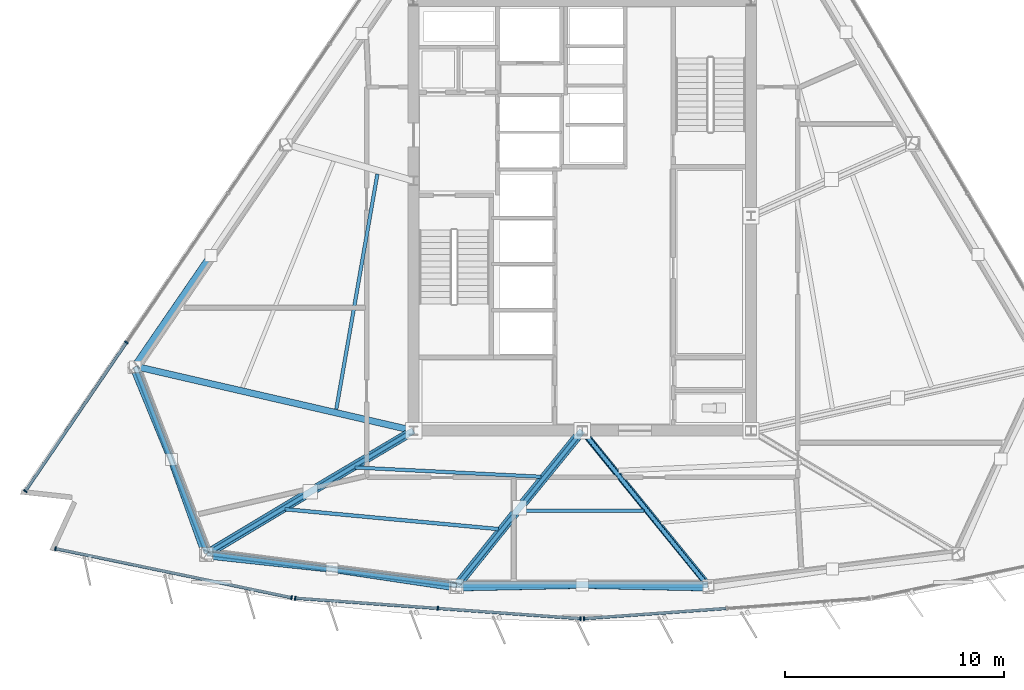
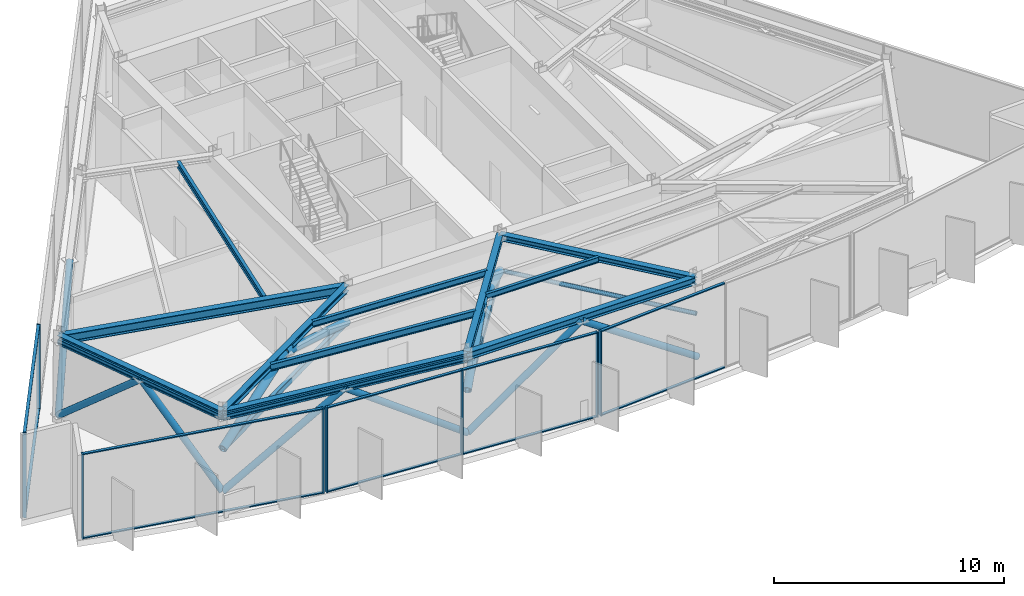
# One storey, part 2 of 14: 34 members, 11 beams, 4 elements without a shape of their own.
"""IFC4 building model written with IfcOpenShell, lengths in metres."""

from ifc_helpers import new_model, si_unit, direction, frame, origin, origin_2d, place, context, subcontext, project, spatial, rectangle, hollow_rectangle, hollow_circle, i_section, extrude, material, material_profile, profile_set, type_object, element, aggregate, save


model = new_model("IFC4")

# Units and contexts
model_context = context("Model", 3, precision=1e-05, world=origin(), true_north=direction((0.0, 1.0)))
body_context = subcontext(model_context, "Body", "Model", "MODEL_VIEW")
ifc_project = project(units=[si_unit("LENGTHUNIT", "METRE"), si_unit("AREAUNIT", "SQUARE_METRE"), si_unit("VOLUMEUNIT", "CUBIC_METRE"), si_unit("PLANEANGLEUNIT", "RADIAN"), si_unit("MASSUNIT", "GRAM", prefix="KILO")], contexts=[model_context])

# Site, building, storey
site_placement = place(None, origin())
site = spatial("IfcSite", under=ifc_project, at=site_placement, CompositionType="ELEMENT")
building_placement = place(site_placement, origin())
building = spatial("IfcBuilding", under=site, at=building_placement, Name="Savorim Split Tower", CompositionType="ELEMENT")
storey_placement = place(building_placement, frame((0.0, 0.0, 185.39990234375)))
storey = spatial("IfcBuildingStorey", under=building, at=storey_placement, Name="L49", CompositionType="ELEMENT", Elevation=185.39990234375)

# Beams
ifc_material_1 = material(Name="Steel S355", Category="steel")
ifc_material_profile_1 = material_profile(ifc_material_1, i_section(OverallWidth=0.14990234375, OverallDepth=0.300048828125, WebThickness=0.007080078125, FlangeThickness=0.0107421875, FilletRadius=0.014892578125, at=origin_2d()), Name="IPE 300")
ifc_profile_set_1 = profile_set([ifc_material_profile_1], Name="Steel S355")
beam_type_1 = type_object("IfcBeamType", Name="BM-JST-IPE300", PredefinedType="JOIST", material=ifc_profile_set_1)
beam_1_placement = place(storey_placement, frame((-2.822998046875, -13.061767578125, 4.35009765625), z_axis=(1.0, 0.0, 0.0), x_axis=(0.0, 1.0, 0.0)))
element("IfcBeam", 1, at=beam_1_placement, inside=storey, type_object=beam_type_1, Name="L49 Secondary Floor Joist JS-03", PredefinedType="JOIST", context=body_context, shape_type="SweptSolid", body=[
    extrude(i_section(OverallWidth=0.14990234375, OverallDepth=0.300048828125, WebThickness=0.007080078125, FlangeThickness=0.0107421875, FilletRadius=0.014892578125, at=origin_2d()), origin(), (0.0, 0.0, 1.0), 5.64599609375),
])
ifc_material_profile_2 = material_profile(ifc_material_1, i_section(OverallWidth=0.159912109375, OverallDepth=0.330078125, WebThickness=0.007568359375, FlangeThickness=0.011474609375, FilletRadius=0.01806640625, at=origin_2d()), Name="IPE 330")
ifc_profile_set_2 = profile_set([ifc_material_profile_2], Name="Steel S355")
beam_type_2 = type_object("IfcBeamType", Name="BM-JST-IPE330", PredefinedType="JOIST", material=ifc_profile_set_2)
beam_2_placement = place(storey_placement, frame((-10.364990234375, -11.082275390625, 4.335205078125), z_axis=(0.998764564765, -0.049692496115, 0.0), x_axis=(0.049692496115, 0.998764564765, 0.0)))
element("IfcBeam", 2, at=beam_2_placement, inside=storey, type_object=beam_type_2, Name="L49 Secondary Floor Joist JS-02", PredefinedType="JOIST", context=body_context, shape_type="SweptSolid", body=[
    extrude(i_section(OverallWidth=0.159912109375, OverallDepth=0.330078125, WebThickness=0.007568359375, FlangeThickness=0.011474609375, FilletRadius=0.01806640625, at=origin_2d()), origin(), (0.0, 0.0, 1.0), 8.49462890625),
])
beam_3_placement = place(storey_placement, frame((-9.34912109375, 2.30859375, 4.335205078125), z_axis=(-0.17215361557, -0.985070115599, 0.0), x_axis=(0.985070115599, -0.17215361557, 0.0)))
element("IfcBeam", 3, at=beam_3_placement, inside=storey, type_object=beam_type_2, Name="L49 Secondary Floor Joist JS-11", PredefinedType="JOIST", context=body_context, shape_type="SweptSolid", body=[
    extrude(i_section(OverallWidth=0.159912109375, OverallDepth=0.330078125, WebThickness=0.007568359375, FlangeThickness=0.011474609375, FilletRadius=0.01806640625, at=origin_2d()), origin(), (0.0, 0.0, 1.0), 10.892822265625),
])
ifc_material_profile_3 = material_profile(ifc_material_1, i_section(OverallWidth=0.169921875, OverallDepth=0.360107421875, WebThickness=0.008056640625, FlangeThickness=0.0126953125, FilletRadius=0.01806640625, at=origin_2d()), Name="IPE 360")
ifc_profile_set_3 = profile_set([ifc_material_profile_3], Name="Steel S355")
beam_type_3 = type_object("IfcBeamType", Name="BM-JST-IPE360", PredefinedType="JOIST", material=ifc_profile_set_3)
beam_4_placement = place(storey_placement, frame((-13.567138671875, -12.986328125, 4.320068359375), z_axis=(0.995702982946, -0.09260437221, 0.0), x_axis=(0.09260437221, 0.995702982946, 0.0)))
element("IfcBeam", 4, at=beam_4_placement, inside=storey, type_object=beam_type_3, Name="L49 Secondary Floor Joist JS-01", PredefinedType="JOIST", context=body_context, shape_type="SweptSolid", body=[
    extrude(i_section(OverallWidth=0.169921875, OverallDepth=0.360107421875, WebThickness=0.008056640625, FlangeThickness=0.0126953125, FilletRadius=0.01806640625, at=origin_2d()), origin(), (0.0, 0.0, 1.0), 9.7783203125),
])
ifc_material_profile_4 = material_profile(ifc_material_1, i_section(OverallWidth=0.300048828125, OverallDepth=0.320068359375, WebThickness=0.011474609375, FlangeThickness=0.0205078125, FilletRadius=0.027099609375, at=origin_2d()), Name="HEB 320")
ifc_profile_set_4 = profile_set([ifc_material_profile_4], Name="Steel S355")
beam_type_4 = type_object("IfcBeamType", Name="BM-PRI-HEB320", PredefinedType="BEAM", material=ifc_profile_set_4)
beam_5_placement = place(storey_placement, frame((-17.1162109375, -14.980712890625, 4.340087890625), z_axis=(0.860259286737, 0.509856803016, 0.0), x_axis=(-0.509856803016, 0.860259286737, 0.0)))
element("IfcBeam", 5, at=beam_5_placement, inside=storey, type_object=beam_type_4, Name="L49 Primary Floor Girder RG-01", PredefinedType="BEAM", context=body_context, shape_type="SweptSolid", body=[
    extrude(i_section(OverallWidth=0.300048828125, OverallDepth=0.320068359375, WebThickness=0.011474609375, FlangeThickness=0.0205078125, FilletRadius=0.027099609375, at=origin_2d()), origin(), (0.0, 0.0, 1.0), 10.94580078125),
])
for number, where, z_axis, x_axis, name in (
    (6, (-5.736572265625, -16.441650390625, 4.340087890625), (0.631596962003, 0.775296896414, 0.0), (-0.775296896414, 0.631596962003, 0.0), "L49 Primary Floor Girder RG-02"),
    (7, (5.736572265625, -16.441650390625, 4.340087890625), (-0.631596962003, 0.775296896414, 0.0), (-0.775296896414, -0.631596962003, 0.0), "L49 Primary Floor Girder RG-03"),
):
    element("IfcBeam", number, at=place(storey_placement, frame(where, z_axis=z_axis, x_axis=x_axis)), inside=storey, type_object=beam_type_4, Name=name, PredefinedType="BEAM", context=body_context, shape_type="SweptSolid", body=[
        extrude(i_section(OverallWidth=0.300048828125, OverallDepth=0.320068359375, WebThickness=0.011474609375, FlangeThickness=0.0205078125, FilletRadius=0.027099609375, at=origin_2d()), origin(), (0.0, 0.0, 1.0), 9.082763671875),
    ])
ifc_material_profile_5 = material_profile(ifc_material_1, i_section(OverallWidth=0.300048828125, OverallDepth=0.5, WebThickness=0.014404296875, FlangeThickness=0.028076171875, FilletRadius=0.027099609375, at=origin_2d()), Name="HEB 500")
ifc_profile_set_5 = profile_set([ifc_material_profile_5], Name="Steel S355")
beam_type_5 = type_object("IfcBeamType", Name="BM-PRI-HEB500", PredefinedType="BEAM", material=ifc_profile_set_5)
beam_6_placement = place(storey_placement, frame((-20.385009765625, -6.468505859375, 4.25), z_axis=(0.974322568187, -0.225156685712, 0.0), x_axis=(0.225156685712, 0.974322568187, 0.0)))
element("IfcBeam", 8, at=beam_6_placement, inside=storey, type_object=beam_type_5, Name="L49 Primary Floor Girder RG-10", PredefinedType="BEAM", context=body_context, shape_type="SweptSolid", body=[
    extrude(i_section(OverallWidth=0.300048828125, OverallDepth=0.5, WebThickness=0.014404296875, FlangeThickness=0.028076171875, FilletRadius=0.027099609375, at=origin_2d()), origin(), (0.0, 0.0, 1.0), 13.019287109375),
])
ifc_material_profile_6 = material_profile(ifc_material_1, i_section(OverallWidth=0.300048828125, OverallDepth=0.389892578125, WebThickness=0.010986328125, FlangeThickness=0.01904296875, FilletRadius=0.027099609375, at=origin_2d()), Name="HEA 400")
ifc_profile_set_6 = profile_set([ifc_material_profile_6], Name="Steel S355")
beam_type_6 = type_object("IfcBeamType", Name="BM-SPN-HEA400", PredefinedType="SPANDREL", material=ifc_profile_set_6)
for number, where, z_axis, x_axis, name in (
    (9, (-17.1162109375, -14.980712890625, 4.30517578125), (0.991859558111, -0.127336628601, 0.0), (0.127336628601, 0.991859558111, 0.0), "L49 Perimeter Spandrel Beam 1"),
    (10, (-5.736572265625, -16.441650390625, 4.30517578125), (1.0, 0.0, 0.0), (0.0, 1.0, 0.0), "L49 Perimeter Spandrel Beam 2"),
):
    element("IfcBeam", number, at=place(storey_placement, frame(where, z_axis=z_axis, x_axis=x_axis)), inside=storey, type_object=beam_type_6, Name=name, PredefinedType="SPANDREL", context=body_context, shape_type="SweptSolid", body=[
        extrude(i_section(OverallWidth=0.300048828125, OverallDepth=0.389892578125, WebThickness=0.010986328125, FlangeThickness=0.01904296875, FilletRadius=0.027099609375, at=origin_2d()), origin(), (0.0, 0.0, 1.0), 11.47314453125),
    ])
beam_7_placement = place(storey_placement, frame((-20.385009765625, -6.468505859375, 4.30517578125), z_axis=(0.358489214716, -0.933533868123, 0.0), x_axis=(0.933533868123, 0.358489214716, 0.0)))
element("IfcBeam", 11, at=beam_7_placement, inside=storey, type_object=beam_type_6, Name="L49 Perimeter Spandrel Beam 10", PredefinedType="SPANDREL", context=body_context, shape_type="SweptSolid", body=[
    extrude(i_section(OverallWidth=0.300048828125, OverallDepth=0.389892578125, WebThickness=0.010986328125, FlangeThickness=0.01904296875, FilletRadius=0.027099609375, at=origin_2d()), origin(), (0.0, 0.0, 1.0), 9.1181640625),
])

# Curtain wall, members
ifc_material_2 = material(Name="Dark Ceramic-Fritted Insulated Glass", Category="glass")
curtain_wall_type = type_object("IfcCurtainWallType", Name="CW-REFUGE-LVR", PredefinedType="NOTDEFINED", material=ifc_material_2)
curtain_wall_1_placement = place(storey_placement, origin())
curtain_wall_1 = element("IfcCurtainWall", 12, at=curtain_wall_1_placement, inside=storey, type_object=curtain_wall_type, Name="L49 Curtain Wall CW-L49-SF1", PredefinedType="NOTDEFINED")
ifc_material_3 = material(Name="Charcoal Anodised Aluminium", Category="aluminium")
ifc_material_profile_7 = material_profile(ifc_material_3, rectangle(XDim=0.179931640625, YDim=0.06494140625, at=origin_2d()), Name="ALU-M 180x65")
ifc_profile_set_7 = profile_set([ifc_material_profile_7], Name="Charcoal Anodised Aluminium")
member_type_1 = type_object("IfcMemberType", Name="CWM-180x65", PredefinedType="MULLION", material=ifc_profile_set_7)
member_1_placement = place(storey_placement, frame((-24.038818359375, -14.783447265625, 0.0), z_axis=(0.0, 0.0, 1.0), x_axis=(0.203207957161, 0.979135601511, 0.0)))
member_1 = element("IfcMember", 13, at=member_1_placement, type_object=member_type_1, Name="CW-06 mullion 1", PredefinedType="MULLION", context=body_context, shape_type="SweptSolid", body=[
    extrude(rectangle(XDim=0.179931640625, YDim=0.06494140625, at=origin_2d()), origin(), (0.0, 0.0, 1.0), 4.5),
])
member_2_placement = place(storey_placement, frame((-13.266845703125, -17.01904296875, 0.0), z_axis=(0.0, 0.0, 1.0), x_axis=(0.203207957161, 0.979135601511, 0.0)))
member_2 = element("IfcMember", 14, at=member_2_placement, type_object=member_type_1, Name="CW-06 mullion 2", PredefinedType="MULLION", context=body_context, shape_type="SweptSolid", body=[
    extrude(rectangle(XDim=0.179931640625, YDim=0.06494140625, at=origin_2d()), origin(), (0.0, 0.0, 1.0), 4.5),
])

curtain_wall_2_placement = place(storey_placement, origin())
curtain_wall_2 = element("IfcCurtainWall", 15, at=curtain_wall_2_placement, inside=storey, type_object=curtain_wall_type, Name="L49 Curtain Wall CW-L49-SF2", PredefinedType="NOTDEFINED")
member_3_placement = place(storey_placement, frame((-13.099853515625, -17.042236328125, 0.0), z_axis=(0.0, 0.0, 1.0), x_axis=(0.071561883187, 0.997436161804, 0.0)))
member_3 = element("IfcMember", 16, at=member_3_placement, type_object=member_type_1, Name="CW-06 mullion 1", PredefinedType="MULLION", context=body_context, shape_type="SweptSolid", body=[
    extrude(rectangle(XDim=0.179931640625, YDim=0.06494140625, at=origin_2d()), origin(), (0.0, 0.0, 1.0), 4.5),
])
member_4_placement = place(storey_placement, frame((-6.591796875, -17.509033203125, 0.0), z_axis=(0.0, 0.0, 1.0), x_axis=(0.071561883187, 0.997436161804, 0.0)))
member_4 = element("IfcMember", 17, at=member_4_placement, type_object=member_type_1, Name="CW-06 mullion 2", PredefinedType="MULLION", context=body_context, shape_type="SweptSolid", body=[
    extrude(rectangle(XDim=0.179931640625, YDim=0.06494140625, at=origin_2d()), origin(), (0.0, 0.0, 1.0), 4.5),
])
member_5_placement = place(storey_placement, frame((-0.083740234375, -17.97607421875, 0.0), z_axis=(0.0, 0.0, 1.0), x_axis=(0.071561883187, 0.997436161804, 0.0)))
member_5 = element("IfcMember", 18, at=member_5_placement, type_object=member_type_1, Name="CW-06 mullion 3", PredefinedType="MULLION", context=body_context, shape_type="SweptSolid", body=[
    extrude(rectangle(XDim=0.179931640625, YDim=0.06494140625, at=origin_2d()), origin(), (0.0, 0.0, 1.0), 4.5),
])

# Curtain wall, member
curtain_wall_3_placement = place(storey_placement, origin())
curtain_wall_3 = element("IfcCurtainWall", 19, at=curtain_wall_3_placement, inside=storey, type_object=curtain_wall_type, Name="L49 Curtain Wall CW-L49-SF3", PredefinedType="NOTDEFINED")
member_6_placement = place(storey_placement, frame((0.083740234375, -17.97607421875, 0.0), z_axis=(0.0, 0.0, 1.0), x_axis=(-0.071561883187, 0.997436161804, 0.0)))
member_6 = element("IfcMember", 20, at=member_6_placement, type_object=member_type_1, Name="CW-06 mullion 1", PredefinedType="MULLION", context=body_context, shape_type="SweptSolid", body=[
    extrude(rectangle(XDim=0.179931640625, YDim=0.06494140625, at=origin_2d()), origin(), (0.0, 0.0, 1.0), 4.5),
])

# Curtain wall, members
curtain_wall_4_placement = place(storey_placement, origin())
curtain_wall_4 = element("IfcCurtainWall", 21, at=curtain_wall_4_placement, inside=storey, type_object=curtain_wall_type, Name="L49 Curtain Wall CW-L49-WEST", PredefinedType="NOTDEFINED")
member_7_placement = place(storey_placement, frame((-20.800048828125, -5.372802734375, 0.0), z_axis=(0.0, 0.0, 1.0), x_axis=(0.826820328821, -0.562466126845, 0.0)))
member_7 = element("IfcMember", 22, at=member_7_placement, type_object=member_type_1, Name="CW-06 mullion 5", PredefinedType="MULLION", context=body_context, shape_type="SweptSolid", body=[
    extrude(rectangle(XDim=0.179931640625, YDim=0.06494140625, at=origin_2d()), origin(), (0.0, 0.0, 1.0), 4.5),
])
member_8_placement = place(storey_placement, frame((-25.41748046875, -12.160400390625, 0.0), z_axis=(0.0, 0.0, 1.0), x_axis=(0.826820328821, -0.562466126845, 0.0)))
member_8 = element("IfcMember", 23, at=member_8_placement, type_object=member_type_1, Name="CW-06 mullion 6", PredefinedType="MULLION", context=body_context, shape_type="SweptSolid", body=[
    extrude(rectangle(XDim=0.179931640625, YDim=0.06494140625, at=origin_2d()), origin(), (0.0, 0.0, 1.0), 4.5),
])

# Member
ifc_material_profile_8 = material_profile(ifc_material_3, rectangle(XDim=0.139892578125, YDim=0.054931640625, at=origin_2d()), Name="ALU-T 140x55")
ifc_profile_set_8 = profile_set([ifc_material_profile_8], Name="Charcoal Anodised Aluminium")
member_type_2 = type_object("IfcMemberType", Name="CWT-140x55", PredefinedType="USERDEFINED", material=ifc_profile_set_8)
member_9_placement = place(storey_placement, frame((-24.0068359375, -14.7900390625, 0.027587890625), z_axis=(0.979134843159, -0.203211611164, 0.0), x_axis=(0.203211611164, 0.979134843159, 0.0)))
member_9 = element("IfcMember", 24, at=member_9_placement, type_object=member_type_2, Name="CW-06 transom 1.1", ObjectType="TRANSOM", PredefinedType="USERDEFINED", context=body_context, shape_type="SweptSolid", body=[
    extrude(rectangle(XDim=0.139892578125, YDim=0.054931640625, at=origin_2d()), origin(), (0.0, 0.0, 1.0), 10.9365234375),
])

member_10_placement = place(storey_placement, frame((-24.0068359375, -14.7900390625, 4.47265625), z_axis=(0.979134843159, -0.203211611164, 0.0), x_axis=(0.203211611164, 0.979134843159, 0.0)))
member_10 = element("IfcMember", 25, at=member_10_placement, type_object=member_type_2, Name="CW-06 transom 1.2", ObjectType="TRANSOM", PredefinedType="USERDEFINED", context=body_context, shape_type="SweptSolid", body=[
    extrude(rectangle(XDim=0.139892578125, YDim=0.054931640625, at=origin_2d()), origin(), (0.0, 0.0, 1.0), 10.9365234375),
])

aggregate(curtain_wall_1, [member_1, member_2, member_9, member_10])

member_11_placement = place(storey_placement, frame((-13.0673828125, -17.04443359375, 0.027587890625), z_axis=(0.997434662045, -0.0715827839, 0.0), x_axis=(0.0715827839, 0.997434662045, 0.0)))
member_11 = element("IfcMember", 26, at=member_11_placement, type_object=member_type_2, Name="CW-06 transom 1.1", ObjectType="TRANSOM", PredefinedType="USERDEFINED", context=body_context, shape_type="SweptSolid", body=[
    extrude(rectangle(XDim=0.139892578125, YDim=0.054931640625, at=origin_2d()), origin(), (0.0, 0.0, 1.0), 6.459716796875),
])

member_12_placement = place(storey_placement, frame((-13.0673828125, -17.04443359375, 4.47265625), z_axis=(0.997434662045, -0.0715827839, 0.0), x_axis=(0.0715827839, 0.997434662045, 0.0)))
member_12 = element("IfcMember", 27, at=member_12_placement, type_object=member_type_2, Name="CW-06 transom 1.2", ObjectType="TRANSOM", PredefinedType="USERDEFINED", context=body_context, shape_type="SweptSolid", body=[
    extrude(rectangle(XDim=0.139892578125, YDim=0.054931640625, at=origin_2d()), origin(), (0.0, 0.0, 1.0), 6.459716796875),
])

member_13_placement = place(storey_placement, frame((-6.559326171875, -17.511474609375, 0.027587890625), z_axis=(0.997437359839, -0.07154518291, 0.0), x_axis=(0.07154518291, 0.997437359839, 0.0)))
member_13 = element("IfcMember", 28, at=member_13_placement, type_object=member_type_2, Name="CW-06 transom 2.1", ObjectType="TRANSOM", PredefinedType="USERDEFINED", context=body_context, shape_type="SweptSolid", body=[
    extrude(rectangle(XDim=0.139892578125, YDim=0.054931640625, at=origin_2d()), origin(), (0.0, 0.0, 1.0), 6.459716796875),
])

member_14_placement = place(storey_placement, frame((-6.559326171875, -17.511474609375, 4.47265625), z_axis=(0.997437359839, -0.07154518291, 0.0), x_axis=(0.07154518291, 0.997437359839, 0.0)))
member_14 = element("IfcMember", 29, at=member_14_placement, type_object=member_type_2, Name="CW-06 transom 2.2", ObjectType="TRANSOM", PredefinedType="USERDEFINED", context=body_context, shape_type="SweptSolid", body=[
    extrude(rectangle(XDim=0.139892578125, YDim=0.054931640625, at=origin_2d()), origin(), (0.0, 0.0, 1.0), 6.459716796875),
])

aggregate(curtain_wall_2, [member_3, member_4, member_5, member_11, member_12, member_13, member_14])

member_15_placement = place(storey_placement, frame((0.1162109375, -17.9736328125, 0.027587890625), z_axis=(0.997437359839, 0.07154518291, 0.0), x_axis=(-0.07154518291, 0.997437359839, 0.0)))
member_15 = element("IfcMember", 30, at=member_15_placement, type_object=member_type_2, Name="CW-06 transom 1.1", ObjectType="TRANSOM", PredefinedType="USERDEFINED", context=body_context, shape_type="SweptSolid", body=[
    extrude(rectangle(XDim=0.139892578125, YDim=0.054931640625, at=origin_2d()), origin(), (0.0, 0.0, 1.0), 6.459716796875),
])

member_16_placement = place(storey_placement, frame((0.1162109375, -17.9736328125, 4.47265625), z_axis=(0.997437359839, 0.07154518291, 0.0), x_axis=(-0.07154518291, 0.997437359839, 0.0)))
member_16 = element("IfcMember", 31, at=member_16_placement, type_object=member_type_2, Name="CW-06 transom 1.2", ObjectType="TRANSOM", PredefinedType="USERDEFINED", context=body_context, shape_type="SweptSolid", body=[
    extrude(rectangle(XDim=0.139892578125, YDim=0.054931640625, at=origin_2d()), origin(), (0.0, 0.0, 1.0), 6.459716796875),
])

aggregate(curtain_wall_3, [member_6, member_15, member_16])

member_17_placement = place(storey_placement, frame((-20.818359375, -5.39990234375, 0.027587890625), z_axis=(-0.562472362671, -0.826816086704, 0.0), x_axis=(0.826816086704, -0.562472362671, 0.0)))
member_17 = element("IfcMember", 32, at=member_17_placement, type_object=member_type_2, Name="CW-06 transom 5.1", ObjectType="TRANSOM", PredefinedType="USERDEFINED", context=body_context, shape_type="SweptSolid", body=[
    extrude(rectangle(XDim=0.139892578125, YDim=0.054931640625, at=origin_2d()), origin(), (0.0, 0.0, 1.0), 8.14404296875),
])

member_18_placement = place(storey_placement, frame((-20.818359375, -5.39990234375, 4.47265625), z_axis=(-0.562472362671, -0.826816086704, 0.0), x_axis=(0.826816086704, -0.562472362671, 0.0)))
member_18 = element("IfcMember", 33, at=member_18_placement, type_object=member_type_2, Name="CW-06 transom 5.2", ObjectType="TRANSOM", PredefinedType="USERDEFINED", context=body_context, shape_type="SweptSolid", body=[
    extrude(rectangle(XDim=0.139892578125, YDim=0.054931640625, at=origin_2d()), origin(), (0.0, 0.0, 1.0), 8.14404296875),
])

aggregate(curtain_wall_4, [member_7, member_8, member_17, member_18])

# Members
ifc_material_profile_9 = material_profile(ifc_material_1, hollow_circle(Radius=0.109619140625, WallThickness=0.012451171875, at=origin_2d()), Name="CHS 219.1x12.5")
ifc_profile_set_9 = profile_set([ifc_material_profile_9], Name="Steel S355")
member_type_3 = type_object("IfcMemberType", Name="MBR-BAY-CHS219", PredefinedType="BRACE", material=ifc_profile_set_9)
member_19_placement = place(storey_placement, frame((0.0, -9.39990234375, 2.52001953125), z_axis=(0.629132889465, -0.777297759802, 0.0), x_axis=(0.777297759802, 0.629132889465, 0.0)))
element("IfcMember", 34, at=member_19_placement, inside=storey, type_object=member_type_3, Name="L49 Secondary Belt Tie Strut 1", PredefinedType="BRACE", context=body_context, shape_type="SweptSolid", body=[
    extrude(hollow_circle(Radius=0.109619140625, WallThickness=0.012451171875, at=origin_2d()), origin(), (0.0, 0.0, 1.0), 9.136962890625),
])
ifc_material_4 = material(Name="Steel S460", Category="steel")
ifc_material_profile_10 = material_profile(ifc_material_4, hollow_circle(Radius=0.161865234375, WallThickness=0.01611328125, at=origin_2d()), Name="CHS 323.9x16")
ifc_profile_set_10 = profile_set([ifc_material_profile_10], Name="Steel S460")
member_type_4 = type_object("IfcMemberType", Name="MBR-BLT-CHS324", PredefinedType="BRACE", material=ifc_profile_set_10)
member_20_placement = place(storey_placement, frame((-17.18603515625, -15.093994140625, 0.280029296875), z_axis=(0.828076113599, -0.088736230562, 0.553548400299), x_axis=(0.106549493739, 0.994307399844, 0.0)))
element("IfcMember", 35, at=member_20_placement, inside=storey, type_object=member_type_4, Name="L49 Perimeter Belt Truss Brace 1A", PredefinedType="BRACE", context=body_context, shape_type="SweptSolid", body=[
    extrude(hollow_circle(Radius=0.161865234375, WallThickness=0.01611328125, at=origin_2d()), origin(), (0.0, 0.0, 1.0), 6.955322265625),
])
member_21_placement = place(storey_placement, frame((-5.760009765625, -16.56103515625, 0.280029296875), z_axis=(-0.820846604342, 0.123109307614, 0.557723005191), x_axis=(-0.148319617525, -0.988939477955, 0.0)))
element("IfcMember", 36, at=member_21_placement, inside=storey, type_object=member_type_4, Name="L49 Perimeter Belt Truss Brace 1B", PredefinedType="BRACE", context=body_context, shape_type="SweptSolid", body=[
    extrude(hollow_circle(Radius=0.161865234375, WallThickness=0.01611328125, at=origin_2d()), origin(), (0.0, 0.0, 1.0), 6.9033203125),
])
for number, where, z_axis, x_axis, name in (
    (37, (-5.760009765625, -16.56103515625, 0.280029296875), (0.831254043594, 0.017228975854, 0.555625663014), (-0.020722036186, 0.999785275555, 0.0), "L49 Perimeter Belt Truss Brace 2A"),
    (38, (5.760009765625, -16.56103515625, 0.280029296875), (-0.831254043594, 0.017228975854, 0.555625663014), (-0.020722036186, -0.999785275555, 0.0), "L49 Perimeter Belt Truss Brace 2B"),
):
    element("IfcMember", number, at=place(storey_placement, frame(where, z_axis=z_axis, x_axis=x_axis)), inside=storey, type_object=member_type_4, Name=name, PredefinedType="BRACE", context=body_context, shape_type="SweptSolid", body=[
        extrude(hollow_circle(Radius=0.161865234375, WallThickness=0.01611328125, at=origin_2d()), origin(), (0.0, 0.0, 1.0), 6.92919921875),
    ])
member_22_placement = place(storey_placement, frame((-20.47021484375, -6.54150390625, 0.280029296875), z_axis=(0.481907941682, 0.701293142754, 0.525311967949), x_axis=(-0.824168691062, 0.566344390519, 0.0)))
element("IfcMember", 39, at=member_22_placement, inside=storey, type_object=member_type_4, Name="L49 Perimeter Belt Truss Brace 9B", PredefinedType="BRACE", context=body_context, shape_type="SweptSolid", body=[
    extrude(hollow_circle(Radius=0.161865234375, WallThickness=0.01611328125, at=origin_2d()), origin(), (0.0, 0.0, 1.0), 7.3291015625),
])
member_23_placement = place(storey_placement, frame((-20.47021484375, -6.54150390625, 0.280029296875), z_axis=(0.289497132249, -0.704279975004, 0.648213797468), x_axis=(0.924909342994, 0.380187726317, 0.0)))
element("IfcMember", 40, at=member_23_placement, inside=storey, type_object=member_type_4, Name="L49 Perimeter Belt Truss Brace 10A", PredefinedType="BRACE", context=body_context, shape_type="SweptSolid", body=[
    extrude(hollow_circle(Radius=0.161865234375, WallThickness=0.01611328125, at=origin_2d()), origin(), (0.0, 0.0, 1.0), 5.939453125),
])
member_24_placement = place(storey_placement, frame((-17.18603515625, -15.093994140625, 0.280029296875), z_axis=(-0.259477769351, 0.724586306457, 0.638471590368), x_axis=(-0.94145474615, -0.337139379118, 0.0)))
element("IfcMember", 41, at=member_24_placement, inside=storey, type_object=member_type_4, Name="L49 Perimeter Belt Truss Brace 10B", PredefinedType="BRACE", context=body_context, shape_type="SweptSolid", body=[
    extrude(hollow_circle(Radius=0.161865234375, WallThickness=0.01611328125, at=origin_2d()), origin(), (0.0, 0.0, 1.0), 6.0302734375),
])
ifc_material_profile_11 = material_profile(ifc_material_1, hollow_rectangle(XDim=0.199951171875, YDim=0.300048828125, WallThickness=0.012451171875, InnerFilletRadius=0.012451171875, OuterFilletRadius=0.02490234375, at=origin_2d()), Name="RHS 300x200x12.5")
ifc_profile_set_11 = profile_set([ifc_material_profile_11], Name="Steel S355")
member_type_5 = type_object("IfcMemberType", Name="MBR-CHD-RHS300", PredefinedType="CHORD", material=ifc_profile_set_11)
member_25_placement = place(storey_placement, frame((-17.126708984375, -14.99755859375, 4.130126953125), z_axis=(0.991858814278, -0.127342422382, 0.0), x_axis=(0.127342422382, 0.991858814278, 0.0)))
element("IfcMember", 42, at=member_25_placement, inside=storey, type_object=member_type_5, Name="L49 Perimeter Belt Truss Chord 1", PredefinedType="CHORD", context=body_context, shape_type="SweptSolid", body=[
    extrude(hollow_rectangle(XDim=0.199951171875, YDim=0.300048828125, WallThickness=0.012451171875, InnerFilletRadius=0.012451171875, OuterFilletRadius=0.02490234375, at=origin_2d()), origin(), (0.0, 0.0, 1.0), 11.480224609375),
])
member_26_placement = place(storey_placement, frame((-20.397705078125, -6.479248046875, 4.130126953125), z_axis=(0.358475216638, -0.933539243447, 0.0), x_axis=(0.933539243447, 0.358475216638, 0.0)))
element("IfcMember", 43, at=member_26_placement, inside=storey, type_object=member_type_5, Name="L49 Perimeter Belt Truss Chord 10", PredefinedType="CHORD", context=body_context, shape_type="SweptSolid", body=[
    extrude(hollow_rectangle(XDim=0.199951171875, YDim=0.300048828125, WallThickness=0.012451171875, InnerFilletRadius=0.012451171875, OuterFilletRadius=0.02490234375, at=origin_2d()), origin(), (0.0, 0.0, 1.0), 9.124755859375),
])
member_27_placement = place(storey_placement, frame((-7.699951171875, -9.39990234375, 2.47998046875), z_axis=(-0.858787829528, -0.512331400419, 0.0), x_axis=(0.512331400419, -0.858787829528, 0.0)))
element("IfcMember", 44, at=member_27_placement, inside=storey, type_object=member_type_5, Name="L49 Outrigger Bottom Chord S1", PredefinedType="CHORD", context=body_context, shape_type="SweptSolid", body=[
    extrude(hollow_rectangle(XDim=0.199951171875, YDim=0.300048828125, WallThickness=0.012451171875, InnerFilletRadius=0.012451171875, OuterFilletRadius=0.02490234375, at=origin_2d()), origin(), (0.0, 0.0, 1.0), 11.00634765625),
])
member_28_placement = place(storey_placement, frame((0.0, -9.39990234375, 2.47998046875), z_axis=(-0.629096768956, -0.777326993799, 0.0), x_axis=(0.777326993799, -0.629096768956, 0.0)))
element("IfcMember", 45, at=member_28_placement, inside=storey, type_object=member_type_5, Name="L49 Outrigger Bottom Chord S2", PredefinedType="CHORD", context=body_context, shape_type="SweptSolid", body=[
    extrude(hollow_rectangle(XDim=0.199951171875, YDim=0.300048828125, WallThickness=0.012451171875, InnerFilletRadius=0.012451171875, OuterFilletRadius=0.02490234375, at=origin_2d()), origin(), (0.0, 0.0, 1.0), 9.1376953125),
])
ifc_material_profile_12 = material_profile(ifc_material_4, hollow_circle(Radius=0.203125, WallThickness=0.02001953125, at=origin_2d()), Name="CHS 406.4x20")
ifc_profile_set_12 = profile_set([ifc_material_profile_12], Name="Steel S460")
member_type_6 = type_object("IfcMemberType", Name="MBR-OUT-CHS406", PredefinedType="BRACE", material=ifc_profile_set_12)
member_29_placement = place(storey_placement, frame((-7.699951171875, -9.39990234375, 2.47998046875), z_axis=(-0.820673784886, -0.486404011473, 0.299842752829), x_axis=(0.509863526173, -0.860255302034, 0.0)))
element("IfcMember", 46, at=member_29_placement, inside=storey, type_object=member_type_6, Name="L49 Outrigger Truss Diagonal S1-A", PredefinedType="BRACE", context=body_context, shape_type="SweptSolid", body=[
    extrude(hollow_circle(Radius=0.203125, WallThickness=0.02001953125, at=origin_2d()), origin(), (0.0, 0.0, 1.0), 5.737060546875),
])
member_30_placement = place(storey_placement, frame((-12.408203125, -12.1904296875, 4.2001953125), z_axis=(-0.818680012262, -0.491561921829, -0.296866829623), x_axis=(0.514768246025, -0.857329372461, 0.0)))
element("IfcMember", 47, at=member_30_placement, inside=storey, type_object=member_type_6, Name="L49 Outrigger Truss Diagonal S1-B", PredefinedType="BRACE", context=body_context, shape_type="SweptSolid", body=[
    extrude(hollow_circle(Radius=0.203125, WallThickness=0.02001953125, at=origin_2d()), origin(), (0.0, 0.0, 1.0), 5.794677734375),
])
member_31_placement = place(storey_placement, frame((0.0, -9.39990234375, 2.47998046875), z_axis=(-0.590648754877, -0.725026499518, 0.35421832725), x_axis=(0.775294456869, -0.631599956577, 0.0)))
element("IfcMember", 48, at=member_31_placement, inside=storey, type_object=member_type_6, Name="L49 Outrigger Truss Diagonal S2-A", PredefinedType="BRACE", context=body_context, shape_type="SweptSolid", body=[
    extrude(hollow_circle(Radius=0.203125, WallThickness=0.02001953125, at=origin_2d()), origin(), (0.0, 0.0, 1.0), 4.8564453125),
])
member_32_placement = place(storey_placement, frame((-2.868408203125, -12.9208984375, 4.2001953125), z_axis=(-0.586862471689, -0.729884393034, -0.350515637494), x_axis=(0.779327352441, -0.626617010411, 0.0)))
element("IfcMember", 49, at=member_32_placement, inside=storey, type_object=member_type_6, Name="L49 Outrigger Truss Diagonal S2-B", PredefinedType="BRACE", context=body_context, shape_type="SweptSolid", body=[
    extrude(hollow_circle(Radius=0.203125, WallThickness=0.02001953125, at=origin_2d()), origin(), (0.0, 0.0, 1.0), 4.90771484375),
])

save(model, "model.ifc")
